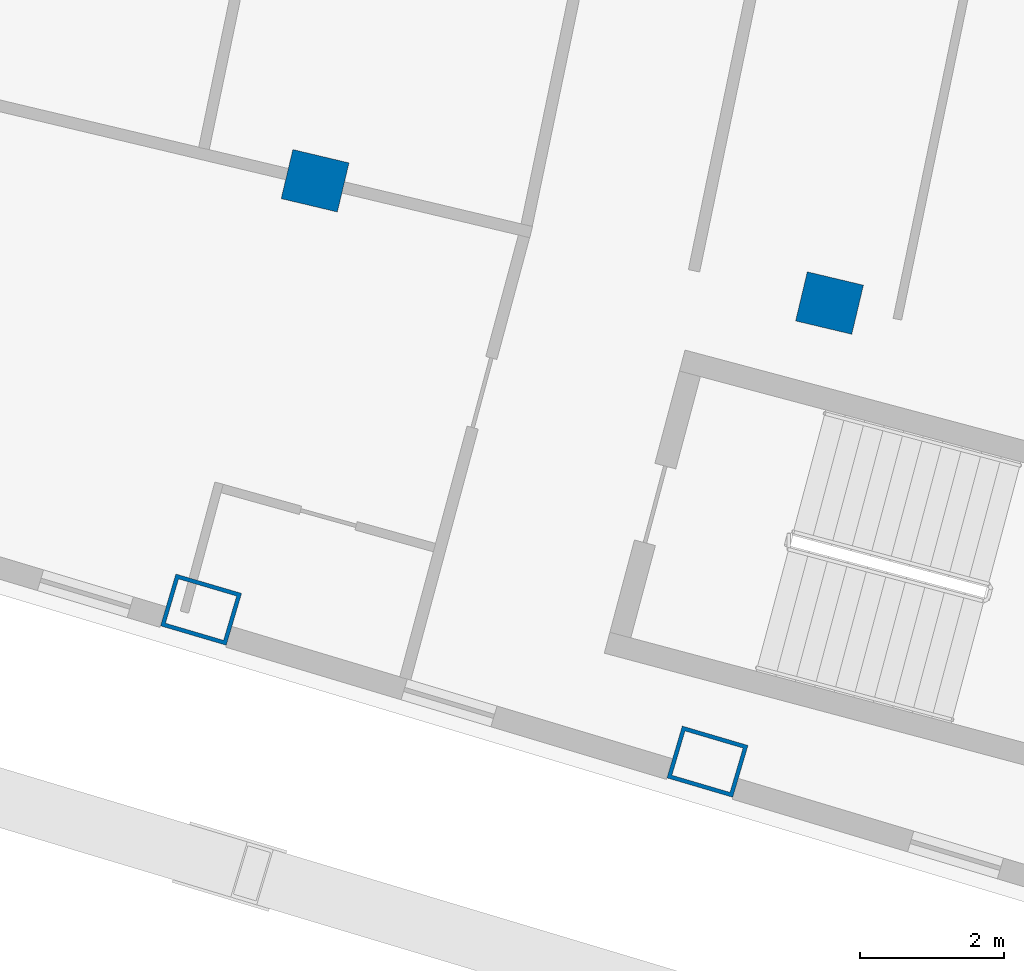
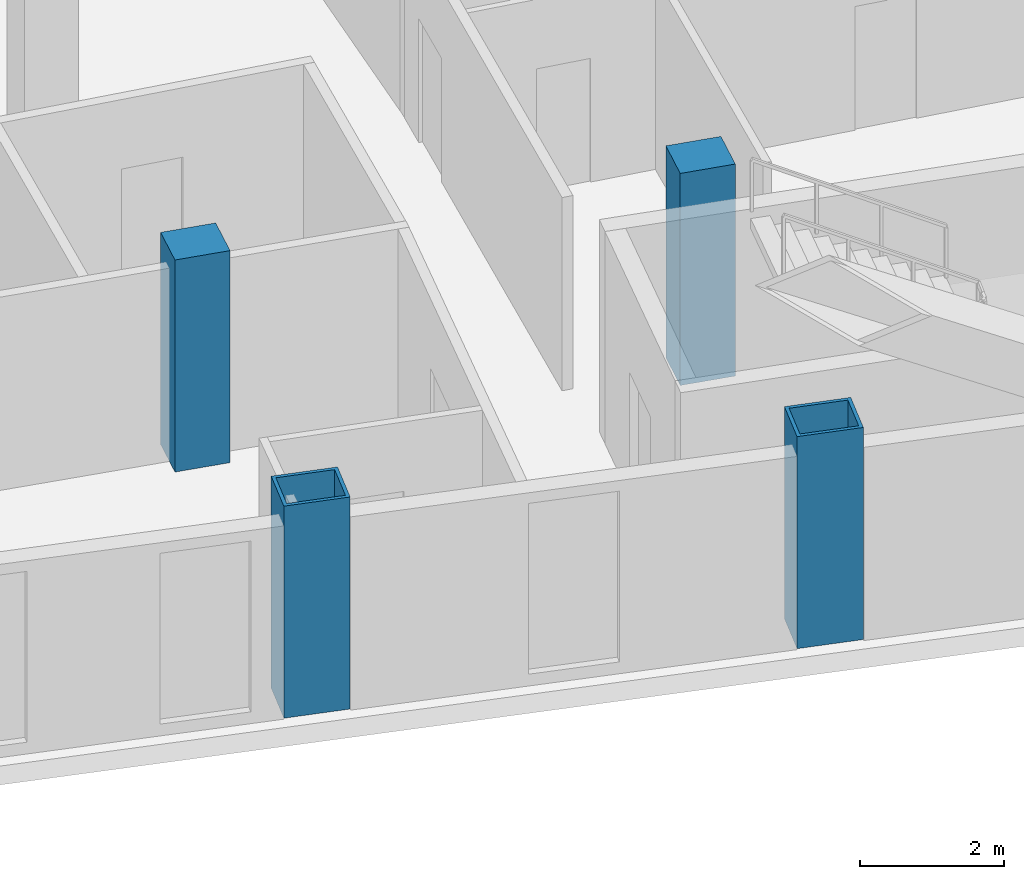
# One storey, part 2 of 20: 4 columns.
"""IFC4 building model written with IfcOpenShell, lengths in metres."""

from ifc_helpers import new_model, si_unit, direction, frame, origin, origin_2d, place, context, subcontext, project, spatial, rectangle, hollow_rectangle, extrude, material, material_profile, profile_set, type_object, element, save


model = new_model("IFC4")

# Units and contexts
model_context = context("Model", 3, precision=1e-05, world=origin(), true_north=direction((0.0, 1.0)))
body_context = subcontext(model_context, "Body", "Model", "MODEL_VIEW")
ifc_project = project(units=[si_unit("LENGTHUNIT", "METRE"), si_unit("AREAUNIT", "SQUARE_METRE"), si_unit("VOLUMEUNIT", "CUBIC_METRE"), si_unit("PLANEANGLEUNIT", "RADIAN"), si_unit("MASSUNIT", "GRAM", prefix="KILO")], contexts=[model_context])

# Site, building, storey
site_placement = place(None, origin())
site = spatial("IfcSite", under=ifc_project, at=site_placement, CompositionType="ELEMENT")
building_placement = place(site_placement, origin())
building = spatial("IfcBuilding", under=site, at=building_placement, Name="Alderwake Tower", CompositionType="ELEMENT")
storey_placement = place(building_placement, frame((0.0, 0.0, 210.800048828125)))
storey = spatial("IfcBuildingStorey", under=building, at=storey_placement, Name="L52", CompositionType="ELEMENT", Elevation=210.800048828125)

# Columns
ifc_material_1 = material(Name="Steel ASTM A572 Grade 50 concrete filled C70/85", Category="concrete")
ifc_material_profile_1 = material_profile(ifc_material_1, hollow_rectangle(XDim=0.75, YDim=0.949951171875, WallThickness=0.054931640625, at=origin_2d()), Name="BOX 950X750X55")
ifc_profile_set_1 = profile_set([ifc_material_profile_1], Name="Steel ASTM A572 Grade 50 concrete filled C70/85")
column_type_1 = type_object("IfcColumnType", Name="End column Z4", PredefinedType="COLUMN", material=ifc_profile_set_1)
for number, where, z_axis, x_axis, name in (
    (1, (31.080322265625, 28.27685546875, 0.0), (0.0, 0.0, 1.0), (0.282582549822, 0.959242984095, 0.0), "Column R02-C2"),
    (2, (38.10400390625, 26.168212890625, 0.0), (0.0, 0.0, 1.0), (0.28287886882, 0.959155641997, 0.0), "Column R02-C3"),
):
    element("IfcColumn", number, at=place(storey_placement, frame(where, z_axis=z_axis, x_axis=x_axis)), inside=storey, type_object=column_type_1, Name=name, PredefinedType="COLUMN", context=body_context, shape_type="SweptSolid", body=[
        extrude(hollow_rectangle(XDim=0.75, YDim=0.949951171875, WallThickness=0.054931640625, at=origin_2d()), origin(), (0.0, 0.0, 1.0), 3.599853515625),
    ])
ifc_material_2 = material(Name="Concrete C70/85", Category="concrete")
ifc_material_profile_2 = material_profile(ifc_material_2, rectangle(XDim=0.699951171875, YDim=0.800048828125, at=origin_2d()), Name="RC 800X700")
ifc_profile_set_2 = profile_set([ifc_material_profile_2], Name="Concrete C70/85")
column_type_2 = type_object("IfcColumnType", Name="Interior column Z4", PredefinedType="COLUMN", material=ifc_profile_set_2)
for number, where, z_axis, x_axis, name in (
    (3, (32.661865234375, 34.224609375, 0.0), (0.0, 0.0, 1.0), (0.231221547198, 0.972901123502, 0.0), "Column R03-C2"),
    (4, (39.79638671875, 32.52880859375, 0.0), (0.0, 0.0, 1.0), (0.231221547198, 0.972901123502, 0.0), "Column R03-C3"),
):
    element("IfcColumn", number, at=place(storey_placement, frame(where, z_axis=z_axis, x_axis=x_axis)), inside=storey, type_object=column_type_2, Name=name, PredefinedType="COLUMN", context=body_context, shape_type="SweptSolid", body=[
        extrude(rectangle(XDim=0.699951171875, YDim=0.800048828125, at=origin_2d()), origin(), (0.0, 0.0, 1.0), 3.599853515625),
    ])

save(model, "model.ifc")
